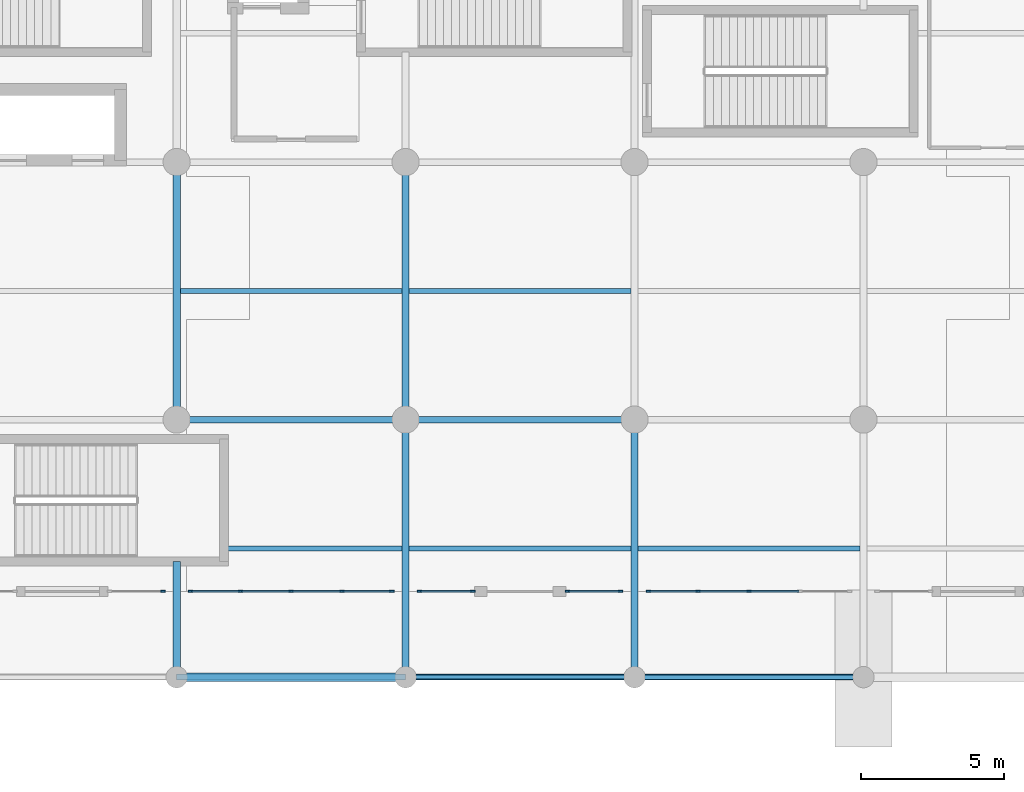
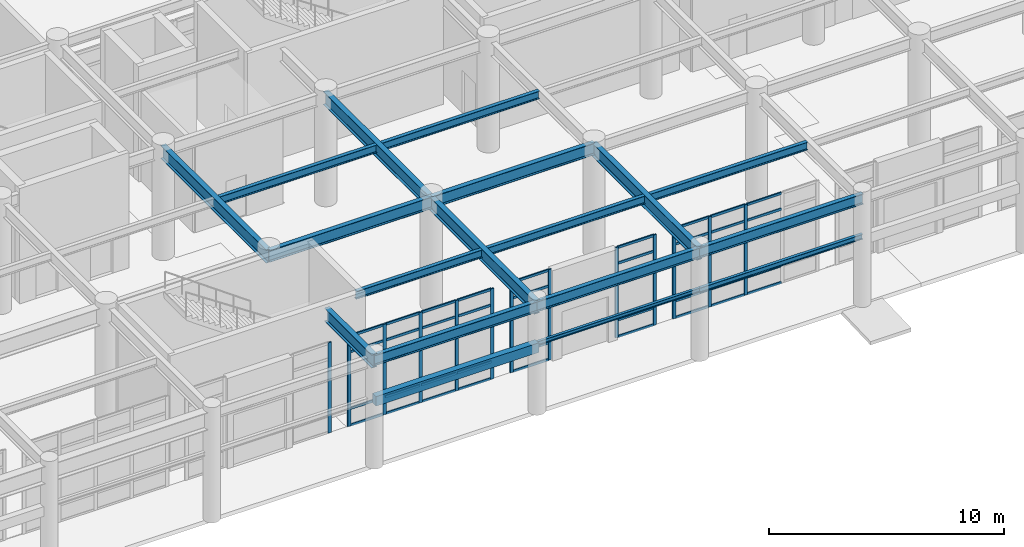
# One storey, part 8 of 49: 49 members, 18 beams, 5 elements without a shape of their own.
"""IFC4 building model written with IfcOpenShell, lengths in metres."""

from ifc_helpers import new_model, si_unit, direction, frame, origin, origin_2d, place, context, subcontext, project, spatial, rectangle, i_section, extrude, material, layer, layer_set, material_profile, profile_set, type_object, element, aggregate, save


model = new_model("IFC4")

# Units and contexts
model_context = context("Model", 3, precision=1e-05, world=origin(), true_north=direction((0.0, 1.0)))
body_context = subcontext(model_context, "Body", "Model", "MODEL_VIEW")
ifc_project = project(units=[si_unit("LENGTHUNIT", "METRE"), si_unit("AREAUNIT", "SQUARE_METRE"), si_unit("VOLUMEUNIT", "CUBIC_METRE"), si_unit("PLANEANGLEUNIT", "RADIAN"), si_unit("MASSUNIT", "GRAM", prefix="KILO")], contexts=[model_context])

# Site, building, storey
site_placement = place(None, origin())
site = spatial("IfcSite", under=ifc_project, at=site_placement, CompositionType="ELEMENT")
building_placement = place(site_placement, origin())
building = spatial("IfcBuilding", under=site, at=building_placement, Name="Tlacozan Convention Centre", CompositionType="ELEMENT")
storey_placement = place(building_placement, origin())
storey = spatial("IfcBuildingStorey", under=building, at=storey_placement, Name="L00", CompositionType="ELEMENT", Elevation=0.0)

# Curtain wall, member
ifc_material_1 = material(Name="Dark Bronze Anodised Aluminium", Category="aluminium")
ifc_layer = layer(ifc_material_1, 0.159912109375)
ifc_layer_set = layer_set([ifc_layer], Name="Dark Bronze Anodised Aluminium")
curtain_wall_type = type_object("IfcCurtainWallType", Name="Unitised Concourse Curtain Wall CW01", PredefinedType="NOTDEFINED", material=ifc_layer_set)
curtain_wall_1_placement = place(storey_placement, origin())
curtain_wall_1 = element("IfcCurtainWall", 1, at=curtain_wall_1_placement, inside=storey, type_object=curtain_wall_type, Name="L00 CW-01 Run 34", PredefinedType="NOTDEFINED")
ifc_material_profile_1 = material_profile(ifc_material_1, rectangle(XDim=0.06494140625, YDim=0.159912109375, at=origin_2d()), Name="ALU 65x160")
ifc_profile_set_1 = profile_set([ifc_material_profile_1], Name="Dark Bronze Anodised Aluminium")
member_type_1 = type_object("IfcMemberType", Name="Curtain Wall Mullion 65x160", PredefinedType="MULLION", material=ifc_profile_set_1)
member_1_placement = place(storey_placement, frame((31.517578125, 3.0, 0.0), z_axis=(0.0, 0.0, 1.0), x_axis=(0.0, 1.0, 0.0)))
member_1 = element("IfcMember", 2, at=member_1_placement, type_object=member_type_1, Name="CW-01 mullion 2", PredefinedType="MULLION", context=body_context, shape_type="SweptSolid", body=[
    extrude(rectangle(XDim=0.06494140625, YDim=0.159912109375, at=origin_2d()), origin(), (0.0, 0.0, 1.0), 4.699951171875),
])
aggregate(curtain_wall_1, [member_1])

# Curtain wall, members
curtain_wall_2_placement = place(storey_placement, origin())
curtain_wall_2 = element("IfcCurtainWall", 3, at=curtain_wall_2_placement, inside=storey, type_object=curtain_wall_type, Name="L00 CW-01 Run 35", PredefinedType="NOTDEFINED")
member_2_placement = place(storey_placement, frame((32.482421875, 3.0, 0.0), z_axis=(0.0, 0.0, 1.0), x_axis=(0.0, 1.0, 0.0)))
member_2 = element("IfcMember", 4, at=member_2_placement, type_object=member_type_1, Name="CW-01 mullion 1", PredefinedType="MULLION", context=body_context, shape_type="SweptSolid", body=[
    extrude(rectangle(XDim=0.06494140625, YDim=0.159912109375, at=origin_2d()), origin(), (0.0, 0.0, 1.0), 4.699951171875),
])
member_3_placement = place(storey_placement, frame((34.22509765625, 3.0, 0.0), z_axis=(0.0, 0.0, 1.0), x_axis=(0.0, 1.0, 0.0)))
member_3 = element("IfcMember", 5, at=member_3_placement, type_object=member_type_1, Name="CW-01 mullion 2", PredefinedType="MULLION", context=body_context, shape_type="SweptSolid", body=[
    extrude(rectangle(XDim=0.06494140625, YDim=0.159912109375, at=origin_2d()), origin(), (0.0, 0.0, 1.0), 4.699951171875),
])
member_4_placement = place(storey_placement, frame((36.0, 3.0, 0.0), z_axis=(0.0, 0.0, 1.0), x_axis=(0.0, 1.0, 0.0)))
member_4 = element("IfcMember", 6, at=member_4_placement, type_object=member_type_1, Name="CW-01 mullion 3", PredefinedType="MULLION", context=body_context, shape_type="SweptSolid", body=[
    extrude(rectangle(XDim=0.06494140625, YDim=0.159912109375, at=origin_2d()), origin(), (0.0, 0.0, 1.0), 4.699951171875),
])
member_5_placement = place(storey_placement, frame((37.77490234375, 3.0, 0.0), z_axis=(0.0, 0.0, 1.0), x_axis=(0.0, 1.0, 0.0)))
member_5 = element("IfcMember", 7, at=member_5_placement, type_object=member_type_1, Name="CW-01 mullion 4", PredefinedType="MULLION", context=body_context, shape_type="SweptSolid", body=[
    extrude(rectangle(XDim=0.06494140625, YDim=0.159912109375, at=origin_2d()), origin(), (0.0, 0.0, 1.0), 4.699951171875),
])
member_6_placement = place(storey_placement, frame((39.517578125, 3.0, 0.0), z_axis=(0.0, 0.0, 1.0), x_axis=(0.0, 1.0, 0.0)))
member_6 = element("IfcMember", 8, at=member_6_placement, type_object=member_type_1, Name="CW-01 mullion 5", PredefinedType="MULLION", context=body_context, shape_type="SweptSolid", body=[
    extrude(rectangle(XDim=0.06494140625, YDim=0.159912109375, at=origin_2d()), origin(), (0.0, 0.0, 1.0), 4.699951171875),
])

curtain_wall_3_placement = place(storey_placement, origin())
curtain_wall_3 = element("IfcCurtainWall", 9, at=curtain_wall_3_placement, inside=storey, type_object=curtain_wall_type, Name="L00 CW-01 Run 36", PredefinedType="NOTDEFINED")
member_7_placement = place(storey_placement, frame((40.482421875, 3.0, 0.0), z_axis=(0.0, 0.0, 1.0), x_axis=(0.0, 1.0, 0.0)))
member_7 = element("IfcMember", 10, at=member_7_placement, type_object=member_type_1, Name="CW-01 mullion 1", PredefinedType="MULLION", context=body_context, shape_type="SweptSolid", body=[
    extrude(rectangle(XDim=0.06494140625, YDim=0.159912109375, at=origin_2d()), origin(), (0.0, 0.0, 1.0), 4.699951171875),
])
member_8_placement = place(storey_placement, frame((42.347412109375, 3.0, 0.0), z_axis=(0.0, 0.0, 1.0), x_axis=(0.0, 1.0, 0.0)))
member_8 = element("IfcMember", 11, at=member_8_placement, type_object=member_type_1, Name="CW-01 mullion 2", PredefinedType="MULLION", context=body_context, shape_type="SweptSolid", body=[
    extrude(rectangle(XDim=0.06494140625, YDim=0.159912109375, at=origin_2d()), origin(), (0.0, 0.0, 1.0), 4.699951171875),
])

curtain_wall_4_placement = place(storey_placement, origin())
curtain_wall_4 = element("IfcCurtainWall", 12, at=curtain_wall_4_placement, inside=storey, type_object=curtain_wall_type, Name="L00 CW-01 Run 37", PredefinedType="NOTDEFINED")
member_9_placement = place(storey_placement, frame((45.652587890625, 3.0, 0.0), z_axis=(0.0, 0.0, 1.0), x_axis=(0.0, 1.0, 0.0)))
member_9 = element("IfcMember", 13, at=member_9_placement, type_object=member_type_1, Name="CW-01 mullion 1", PredefinedType="MULLION", context=body_context, shape_type="SweptSolid", body=[
    extrude(rectangle(XDim=0.06494140625, YDim=0.159912109375, at=origin_2d()), origin(), (0.0, 0.0, 1.0), 4.699951171875),
])
member_10_placement = place(storey_placement, frame((47.517578125, 3.0, 0.0), z_axis=(0.0, 0.0, 1.0), x_axis=(0.0, 1.0, 0.0)))
member_10 = element("IfcMember", 14, at=member_10_placement, type_object=member_type_1, Name="CW-01 mullion 2", PredefinedType="MULLION", context=body_context, shape_type="SweptSolid", body=[
    extrude(rectangle(XDim=0.06494140625, YDim=0.159912109375, at=origin_2d()), origin(), (0.0, 0.0, 1.0), 4.699951171875),
])

curtain_wall_5_placement = place(storey_placement, origin())
curtain_wall_5 = element("IfcCurtainWall", 15, at=curtain_wall_5_placement, inside=storey, type_object=curtain_wall_type, Name="L00 CW-01 Run 38", PredefinedType="NOTDEFINED")
member_11_placement = place(storey_placement, frame((48.482421875, 3.0, 0.0), z_axis=(0.0, 0.0, 1.0), x_axis=(0.0, 1.0, 0.0)))
member_11 = element("IfcMember", 16, at=member_11_placement, type_object=member_type_1, Name="CW-01 mullion 1", PredefinedType="MULLION", context=body_context, shape_type="SweptSolid", body=[
    extrude(rectangle(XDim=0.06494140625, YDim=0.159912109375, at=origin_2d()), origin(), (0.0, 0.0, 1.0), 4.699951171875),
])
member_12_placement = place(storey_placement, frame((50.22509765625, 3.0, 0.0), z_axis=(0.0, 0.0, 1.0), x_axis=(0.0, 1.0, 0.0)))
member_12 = element("IfcMember", 17, at=member_12_placement, type_object=member_type_1, Name="CW-01 mullion 2", PredefinedType="MULLION", context=body_context, shape_type="SweptSolid", body=[
    extrude(rectangle(XDim=0.06494140625, YDim=0.159912109375, at=origin_2d()), origin(), (0.0, 0.0, 1.0), 4.699951171875),
])
member_13_placement = place(storey_placement, frame((52.0, 3.0, 0.0), z_axis=(0.0, 0.0, 1.0), x_axis=(0.0, 1.0, 0.0)))
member_13 = element("IfcMember", 18, at=member_13_placement, type_object=member_type_1, Name="CW-01 mullion 3", PredefinedType="MULLION", context=body_context, shape_type="SweptSolid", body=[
    extrude(rectangle(XDim=0.06494140625, YDim=0.159912109375, at=origin_2d()), origin(), (0.0, 0.0, 1.0), 4.699951171875),
])

# Member
ifc_material_profile_2 = material_profile(ifc_material_1, rectangle(XDim=0.06494140625, YDim=0.125, at=origin_2d()), Name="ALU 65x125")
ifc_profile_set_2 = profile_set([ifc_material_profile_2], Name="Dark Bronze Anodised Aluminium")
member_type_2 = type_object("IfcMemberType", Name="Curtain Wall Transom 65x125", PredefinedType="USERDEFINED", material=ifc_profile_set_2)
member_14_placement = place(storey_placement, frame((32.514892578125, 3.0, 0.032470703125), z_axis=(1.0, 0.0, 0.0), x_axis=(0.0, 1.0, 0.0)))
member_14 = element("IfcMember", 19, at=member_14_placement, type_object=member_type_2, Name="CW-01 transom 1.1", ObjectType="TRANSOM", PredefinedType="USERDEFINED", context=body_context, shape_type="SweptSolid", body=[
    extrude(rectangle(XDim=0.06494140625, YDim=0.125, at=origin_2d()), origin(), (0.0, 0.0, 1.0), 1.677490234375),
])

member_15_placement = place(storey_placement, frame((32.514892578125, 3.0, 0.89990234375), z_axis=(1.0, 0.0, 0.0), x_axis=(0.0, 1.0, 0.0)))
member_15 = element("IfcMember", 20, at=member_15_placement, type_object=member_type_2, Name="CW-01 transom 1.2", ObjectType="TRANSOM", PredefinedType="USERDEFINED", context=body_context, shape_type="SweptSolid", body=[
    extrude(rectangle(XDim=0.06494140625, YDim=0.125, at=origin_2d()), origin(), (0.0, 0.0, 1.0), 1.677490234375),
])

member_16_placement = place(storey_placement, frame((32.514892578125, 3.0, 3.85009765625), z_axis=(1.0, 0.0, 0.0), x_axis=(0.0, 1.0, 0.0)))
member_16 = element("IfcMember", 21, at=member_16_placement, type_object=member_type_2, Name="CW-01 transom 1.3", ObjectType="TRANSOM", PredefinedType="USERDEFINED", context=body_context, shape_type="SweptSolid", body=[
    extrude(rectangle(XDim=0.06494140625, YDim=0.125, at=origin_2d()), origin(), (0.0, 0.0, 1.0), 1.677490234375),
])

member_17_placement = place(storey_placement, frame((32.514892578125, 3.0, 4.66748046875), z_axis=(1.0, 0.0, 0.0), x_axis=(0.0, 1.0, 0.0)))
member_17 = element("IfcMember", 22, at=member_17_placement, type_object=member_type_2, Name="CW-01 transom 1.4", ObjectType="TRANSOM", PredefinedType="USERDEFINED", context=body_context, shape_type="SweptSolid", body=[
    extrude(rectangle(XDim=0.06494140625, YDim=0.125, at=origin_2d()), origin(), (0.0, 0.0, 1.0), 1.677490234375),
])

member_18_placement = place(storey_placement, frame((34.257568359375, 3.0, 0.032470703125), z_axis=(1.0, 0.0, 0.0), x_axis=(0.0, 1.0, 0.0)))
member_18 = element("IfcMember", 23, at=member_18_placement, type_object=member_type_2, Name="CW-01 transom 2.1", ObjectType="TRANSOM", PredefinedType="USERDEFINED", context=body_context, shape_type="SweptSolid", body=[
    extrude(rectangle(XDim=0.06494140625, YDim=0.125, at=origin_2d()), origin(), (0.0, 0.0, 1.0), 1.7099609375),
])

member_19_placement = place(storey_placement, frame((34.257568359375, 3.0, 0.89990234375), z_axis=(1.0, 0.0, 0.0), x_axis=(0.0, 1.0, 0.0)))
member_19 = element("IfcMember", 24, at=member_19_placement, type_object=member_type_2, Name="CW-01 transom 2.2", ObjectType="TRANSOM", PredefinedType="USERDEFINED", context=body_context, shape_type="SweptSolid", body=[
    extrude(rectangle(XDim=0.06494140625, YDim=0.125, at=origin_2d()), origin(), (0.0, 0.0, 1.0), 1.7099609375),
])

member_20_placement = place(storey_placement, frame((34.257568359375, 3.0, 3.85009765625), z_axis=(1.0, 0.0, 0.0), x_axis=(0.0, 1.0, 0.0)))
member_20 = element("IfcMember", 25, at=member_20_placement, type_object=member_type_2, Name="CW-01 transom 2.3", ObjectType="TRANSOM", PredefinedType="USERDEFINED", context=body_context, shape_type="SweptSolid", body=[
    extrude(rectangle(XDim=0.06494140625, YDim=0.125, at=origin_2d()), origin(), (0.0, 0.0, 1.0), 1.7099609375),
])

member_21_placement = place(storey_placement, frame((34.257568359375, 3.0, 4.66748046875), z_axis=(1.0, 0.0, 0.0), x_axis=(0.0, 1.0, 0.0)))
member_21 = element("IfcMember", 26, at=member_21_placement, type_object=member_type_2, Name="CW-01 transom 2.4", ObjectType="TRANSOM", PredefinedType="USERDEFINED", context=body_context, shape_type="SweptSolid", body=[
    extrude(rectangle(XDim=0.06494140625, YDim=0.125, at=origin_2d()), origin(), (0.0, 0.0, 1.0), 1.7099609375),
])

member_22_placement = place(storey_placement, frame((36.032470703125, 3.0, 0.032470703125), z_axis=(1.0, 0.0, 0.0), x_axis=(0.0, 1.0, 0.0)))
member_22 = element("IfcMember", 27, at=member_22_placement, type_object=member_type_2, Name="CW-01 transom 3.1", ObjectType="TRANSOM", PredefinedType="USERDEFINED", context=body_context, shape_type="SweptSolid", body=[
    extrude(rectangle(XDim=0.06494140625, YDim=0.125, at=origin_2d()), origin(), (0.0, 0.0, 1.0), 1.7099609375),
])

member_23_placement = place(storey_placement, frame((36.032470703125, 3.0, 0.89990234375), z_axis=(1.0, 0.0, 0.0), x_axis=(0.0, 1.0, 0.0)))
member_23 = element("IfcMember", 28, at=member_23_placement, type_object=member_type_2, Name="CW-01 transom 3.2", ObjectType="TRANSOM", PredefinedType="USERDEFINED", context=body_context, shape_type="SweptSolid", body=[
    extrude(rectangle(XDim=0.06494140625, YDim=0.125, at=origin_2d()), origin(), (0.0, 0.0, 1.0), 1.7099609375),
])

member_24_placement = place(storey_placement, frame((36.032470703125, 3.0, 3.85009765625), z_axis=(1.0, 0.0, 0.0), x_axis=(0.0, 1.0, 0.0)))
member_24 = element("IfcMember", 29, at=member_24_placement, type_object=member_type_2, Name="CW-01 transom 3.3", ObjectType="TRANSOM", PredefinedType="USERDEFINED", context=body_context, shape_type="SweptSolid", body=[
    extrude(rectangle(XDim=0.06494140625, YDim=0.125, at=origin_2d()), origin(), (0.0, 0.0, 1.0), 1.7099609375),
])

member_25_placement = place(storey_placement, frame((36.032470703125, 3.0, 4.66748046875), z_axis=(1.0, 0.0, 0.0), x_axis=(0.0, 1.0, 0.0)))
member_25 = element("IfcMember", 30, at=member_25_placement, type_object=member_type_2, Name="CW-01 transom 3.4", ObjectType="TRANSOM", PredefinedType="USERDEFINED", context=body_context, shape_type="SweptSolid", body=[
    extrude(rectangle(XDim=0.06494140625, YDim=0.125, at=origin_2d()), origin(), (0.0, 0.0, 1.0), 1.7099609375),
])

member_26_placement = place(storey_placement, frame((37.8076171875, 3.0, 0.032470703125), z_axis=(1.0, 0.0, 0.0), x_axis=(0.0, 1.0, 0.0)))
member_26 = element("IfcMember", 31, at=member_26_placement, type_object=member_type_2, Name="CW-01 transom 4.1", ObjectType="TRANSOM", PredefinedType="USERDEFINED", context=body_context, shape_type="SweptSolid", body=[
    extrude(rectangle(XDim=0.06494140625, YDim=0.125, at=origin_2d()), origin(), (0.0, 0.0, 1.0), 1.677490234375),
])

member_27_placement = place(storey_placement, frame((37.8076171875, 3.0, 0.89990234375), z_axis=(1.0, 0.0, 0.0), x_axis=(0.0, 1.0, 0.0)))
member_27 = element("IfcMember", 32, at=member_27_placement, type_object=member_type_2, Name="CW-01 transom 4.2", ObjectType="TRANSOM", PredefinedType="USERDEFINED", context=body_context, shape_type="SweptSolid", body=[
    extrude(rectangle(XDim=0.06494140625, YDim=0.125, at=origin_2d()), origin(), (0.0, 0.0, 1.0), 1.677490234375),
])

member_28_placement = place(storey_placement, frame((37.8076171875, 3.0, 3.85009765625), z_axis=(1.0, 0.0, 0.0), x_axis=(0.0, 1.0, 0.0)))
member_28 = element("IfcMember", 33, at=member_28_placement, type_object=member_type_2, Name="CW-01 transom 4.3", ObjectType="TRANSOM", PredefinedType="USERDEFINED", context=body_context, shape_type="SweptSolid", body=[
    extrude(rectangle(XDim=0.06494140625, YDim=0.125, at=origin_2d()), origin(), (0.0, 0.0, 1.0), 1.677490234375),
])

member_29_placement = place(storey_placement, frame((37.8076171875, 3.0, 4.66748046875), z_axis=(1.0, 0.0, 0.0), x_axis=(0.0, 1.0, 0.0)))
member_29 = element("IfcMember", 34, at=member_29_placement, type_object=member_type_2, Name="CW-01 transom 4.4", ObjectType="TRANSOM", PredefinedType="USERDEFINED", context=body_context, shape_type="SweptSolid", body=[
    extrude(rectangle(XDim=0.06494140625, YDim=0.125, at=origin_2d()), origin(), (0.0, 0.0, 1.0), 1.677490234375),
])

aggregate(curtain_wall_2, [member_2, member_3, member_4, member_5, member_6, member_14, member_15, member_16, member_17, member_18, member_19, member_20, member_21, member_22, member_23, member_24, member_25, member_26, member_27, member_28, member_29])

member_30_placement = place(storey_placement, frame((40.514892578125, 3.0, 0.032470703125), z_axis=(1.0, 0.0, 0.0), x_axis=(0.0, 1.0, 0.0)))
member_30 = element("IfcMember", 35, at=member_30_placement, type_object=member_type_2, Name="CW-01 transom 1.1", ObjectType="TRANSOM", PredefinedType="USERDEFINED", context=body_context, shape_type="SweptSolid", body=[
    extrude(rectangle(XDim=0.06494140625, YDim=0.125, at=origin_2d()), origin(), (0.0, 0.0, 1.0), 1.800048828125),
])

member_31_placement = place(storey_placement, frame((40.514892578125, 3.0, 0.89990234375), z_axis=(1.0, 0.0, 0.0), x_axis=(0.0, 1.0, 0.0)))
member_31 = element("IfcMember", 36, at=member_31_placement, type_object=member_type_2, Name="CW-01 transom 1.2", ObjectType="TRANSOM", PredefinedType="USERDEFINED", context=body_context, shape_type="SweptSolid", body=[
    extrude(rectangle(XDim=0.06494140625, YDim=0.125, at=origin_2d()), origin(), (0.0, 0.0, 1.0), 1.800048828125),
])

member_32_placement = place(storey_placement, frame((40.514892578125, 3.0, 3.85009765625), z_axis=(1.0, 0.0, 0.0), x_axis=(0.0, 1.0, 0.0)))
member_32 = element("IfcMember", 37, at=member_32_placement, type_object=member_type_2, Name="CW-01 transom 1.3", ObjectType="TRANSOM", PredefinedType="USERDEFINED", context=body_context, shape_type="SweptSolid", body=[
    extrude(rectangle(XDim=0.06494140625, YDim=0.125, at=origin_2d()), origin(), (0.0, 0.0, 1.0), 1.800048828125),
])

member_33_placement = place(storey_placement, frame((40.514892578125, 3.0, 4.66748046875), z_axis=(1.0, 0.0, 0.0), x_axis=(0.0, 1.0, 0.0)))
member_33 = element("IfcMember", 38, at=member_33_placement, type_object=member_type_2, Name="CW-01 transom 1.4", ObjectType="TRANSOM", PredefinedType="USERDEFINED", context=body_context, shape_type="SweptSolid", body=[
    extrude(rectangle(XDim=0.06494140625, YDim=0.125, at=origin_2d()), origin(), (0.0, 0.0, 1.0), 1.800048828125),
])

aggregate(curtain_wall_3, [member_7, member_8, member_30, member_31, member_32, member_33])

member_34_placement = place(storey_placement, frame((45.68505859375, 3.0, 0.032470703125), z_axis=(1.0, 0.0, 0.0), x_axis=(0.0, 1.0, 0.0)))
member_34 = element("IfcMember", 39, at=member_34_placement, type_object=member_type_2, Name="CW-01 transom 1.1", ObjectType="TRANSOM", PredefinedType="USERDEFINED", context=body_context, shape_type="SweptSolid", body=[
    extrude(rectangle(XDim=0.06494140625, YDim=0.125, at=origin_2d()), origin(), (0.0, 0.0, 1.0), 1.800048828125),
])

member_35_placement = place(storey_placement, frame((45.68505859375, 3.0, 0.89990234375), z_axis=(1.0, 0.0, 0.0), x_axis=(0.0, 1.0, 0.0)))
member_35 = element("IfcMember", 40, at=member_35_placement, type_object=member_type_2, Name="CW-01 transom 1.2", ObjectType="TRANSOM", PredefinedType="USERDEFINED", context=body_context, shape_type="SweptSolid", body=[
    extrude(rectangle(XDim=0.06494140625, YDim=0.125, at=origin_2d()), origin(), (0.0, 0.0, 1.0), 1.800048828125),
])

member_36_placement = place(storey_placement, frame((45.68505859375, 3.0, 3.85009765625), z_axis=(1.0, 0.0, 0.0), x_axis=(0.0, 1.0, 0.0)))
member_36 = element("IfcMember", 41, at=member_36_placement, type_object=member_type_2, Name="CW-01 transom 1.3", ObjectType="TRANSOM", PredefinedType="USERDEFINED", context=body_context, shape_type="SweptSolid", body=[
    extrude(rectangle(XDim=0.06494140625, YDim=0.125, at=origin_2d()), origin(), (0.0, 0.0, 1.0), 1.800048828125),
])

member_37_placement = place(storey_placement, frame((45.68505859375, 3.0, 4.66748046875), z_axis=(1.0, 0.0, 0.0), x_axis=(0.0, 1.0, 0.0)))
member_37 = element("IfcMember", 42, at=member_37_placement, type_object=member_type_2, Name="CW-01 transom 1.4", ObjectType="TRANSOM", PredefinedType="USERDEFINED", context=body_context, shape_type="SweptSolid", body=[
    extrude(rectangle(XDim=0.06494140625, YDim=0.125, at=origin_2d()), origin(), (0.0, 0.0, 1.0), 1.800048828125),
])

aggregate(curtain_wall_4, [member_9, member_10, member_34, member_35, member_36, member_37])

member_38_placement = place(storey_placement, frame((48.514892578125, 3.0, 0.032470703125), z_axis=(1.0, 0.0, 0.0), x_axis=(0.0, 1.0, 0.0)))
member_38 = element("IfcMember", 43, at=member_38_placement, type_object=member_type_2, Name="CW-01 transom 1.1", ObjectType="TRANSOM", PredefinedType="USERDEFINED", context=body_context, shape_type="SweptSolid", body=[
    extrude(rectangle(XDim=0.06494140625, YDim=0.125, at=origin_2d()), origin(), (0.0, 0.0, 1.0), 1.677490234375),
])

member_39_placement = place(storey_placement, frame((48.514892578125, 3.0, 0.89990234375), z_axis=(1.0, 0.0, 0.0), x_axis=(0.0, 1.0, 0.0)))
member_39 = element("IfcMember", 44, at=member_39_placement, type_object=member_type_2, Name="CW-01 transom 1.2", ObjectType="TRANSOM", PredefinedType="USERDEFINED", context=body_context, shape_type="SweptSolid", body=[
    extrude(rectangle(XDim=0.06494140625, YDim=0.125, at=origin_2d()), origin(), (0.0, 0.0, 1.0), 1.677490234375),
])

member_40_placement = place(storey_placement, frame((48.514892578125, 3.0, 3.85009765625), z_axis=(1.0, 0.0, 0.0), x_axis=(0.0, 1.0, 0.0)))
member_40 = element("IfcMember", 45, at=member_40_placement, type_object=member_type_2, Name="CW-01 transom 1.3", ObjectType="TRANSOM", PredefinedType="USERDEFINED", context=body_context, shape_type="SweptSolid", body=[
    extrude(rectangle(XDim=0.06494140625, YDim=0.125, at=origin_2d()), origin(), (0.0, 0.0, 1.0), 1.677490234375),
])

member_41_placement = place(storey_placement, frame((48.514892578125, 3.0, 4.66748046875), z_axis=(1.0, 0.0, 0.0), x_axis=(0.0, 1.0, 0.0)))
member_41 = element("IfcMember", 46, at=member_41_placement, type_object=member_type_2, Name="CW-01 transom 1.4", ObjectType="TRANSOM", PredefinedType="USERDEFINED", context=body_context, shape_type="SweptSolid", body=[
    extrude(rectangle(XDim=0.06494140625, YDim=0.125, at=origin_2d()), origin(), (0.0, 0.0, 1.0), 1.677490234375),
])

member_42_placement = place(storey_placement, frame((50.257568359375, 3.0, 0.032470703125), z_axis=(1.0, 0.0, 0.0), x_axis=(0.0, 1.0, 0.0)))
member_42 = element("IfcMember", 47, at=member_42_placement, type_object=member_type_2, Name="CW-01 transom 2.1", ObjectType="TRANSOM", PredefinedType="USERDEFINED", context=body_context, shape_type="SweptSolid", body=[
    extrude(rectangle(XDim=0.06494140625, YDim=0.125, at=origin_2d()), origin(), (0.0, 0.0, 1.0), 1.7099609375),
])

member_43_placement = place(storey_placement, frame((50.257568359375, 3.0, 0.89990234375), z_axis=(1.0, 0.0, 0.0), x_axis=(0.0, 1.0, 0.0)))
member_43 = element("IfcMember", 48, at=member_43_placement, type_object=member_type_2, Name="CW-01 transom 2.2", ObjectType="TRANSOM", PredefinedType="USERDEFINED", context=body_context, shape_type="SweptSolid", body=[
    extrude(rectangle(XDim=0.06494140625, YDim=0.125, at=origin_2d()), origin(), (0.0, 0.0, 1.0), 1.7099609375),
])

member_44_placement = place(storey_placement, frame((50.257568359375, 3.0, 3.85009765625), z_axis=(1.0, 0.0, 0.0), x_axis=(0.0, 1.0, 0.0)))
member_44 = element("IfcMember", 49, at=member_44_placement, type_object=member_type_2, Name="CW-01 transom 2.3", ObjectType="TRANSOM", PredefinedType="USERDEFINED", context=body_context, shape_type="SweptSolid", body=[
    extrude(rectangle(XDim=0.06494140625, YDim=0.125, at=origin_2d()), origin(), (0.0, 0.0, 1.0), 1.7099609375),
])

member_45_placement = place(storey_placement, frame((50.257568359375, 3.0, 4.66748046875), z_axis=(1.0, 0.0, 0.0), x_axis=(0.0, 1.0, 0.0)))
member_45 = element("IfcMember", 50, at=member_45_placement, type_object=member_type_2, Name="CW-01 transom 2.4", ObjectType="TRANSOM", PredefinedType="USERDEFINED", context=body_context, shape_type="SweptSolid", body=[
    extrude(rectangle(XDim=0.06494140625, YDim=0.125, at=origin_2d()), origin(), (0.0, 0.0, 1.0), 1.7099609375),
])

member_46_placement = place(storey_placement, frame((52.032470703125, 3.0, 0.032470703125), z_axis=(1.0, 0.0, 0.0), x_axis=(0.0, 1.0, 0.0)))
member_46 = element("IfcMember", 51, at=member_46_placement, type_object=member_type_2, Name="CW-01 transom 3.1", ObjectType="TRANSOM", PredefinedType="USERDEFINED", context=body_context, shape_type="SweptSolid", body=[
    extrude(rectangle(XDim=0.06494140625, YDim=0.125, at=origin_2d()), origin(), (0.0, 0.0, 1.0), 1.7099609375),
])

member_47_placement = place(storey_placement, frame((52.032470703125, 3.0, 0.89990234375), z_axis=(1.0, 0.0, 0.0), x_axis=(0.0, 1.0, 0.0)))
member_47 = element("IfcMember", 52, at=member_47_placement, type_object=member_type_2, Name="CW-01 transom 3.2", ObjectType="TRANSOM", PredefinedType="USERDEFINED", context=body_context, shape_type="SweptSolid", body=[
    extrude(rectangle(XDim=0.06494140625, YDim=0.125, at=origin_2d()), origin(), (0.0, 0.0, 1.0), 1.7099609375),
])

member_48_placement = place(storey_placement, frame((52.032470703125, 3.0, 3.85009765625), z_axis=(1.0, 0.0, 0.0), x_axis=(0.0, 1.0, 0.0)))
member_48 = element("IfcMember", 53, at=member_48_placement, type_object=member_type_2, Name="CW-01 transom 3.3", ObjectType="TRANSOM", PredefinedType="USERDEFINED", context=body_context, shape_type="SweptSolid", body=[
    extrude(rectangle(XDim=0.06494140625, YDim=0.125, at=origin_2d()), origin(), (0.0, 0.0, 1.0), 1.7099609375),
])

member_49_placement = place(storey_placement, frame((52.032470703125, 3.0, 4.66748046875), z_axis=(1.0, 0.0, 0.0), x_axis=(0.0, 1.0, 0.0)))
member_49 = element("IfcMember", 54, at=member_49_placement, type_object=member_type_2, Name="CW-01 transom 3.4", ObjectType="TRANSOM", PredefinedType="USERDEFINED", context=body_context, shape_type="SweptSolid", body=[
    extrude(rectangle(XDim=0.06494140625, YDim=0.125, at=origin_2d()), origin(), (0.0, 0.0, 1.0), 1.7099609375),
])

aggregate(curtain_wall_5, [member_11, member_12, member_13, member_38, member_39, member_40, member_41, member_42, member_43, member_44, member_45, member_46, member_47, member_48, member_49])

# Beams
ifc_material_2 = material(Name="Steel ASTM A992 Grade 50", Category="steel")
ifc_material_profile_3 = material_profile(ifc_material_2, i_section(OverallWidth=0.22900390625, OverallDepth=0.612060546875, WebThickness=0.011962890625, FlangeThickness=0.01953125, FilletRadius=0.012939453125, at=origin_2d()), Name="IR 610x125.0")
ifc_profile_set_3 = profile_set([ifc_material_profile_3], Name="Steel ASTM A992 Grade 50")
beam_type_1 = type_object("IfcBeamType", Name="Floor Beam IR 610x125", PredefinedType="BEAM", material=ifc_profile_set_3)
for number, where, z_axis, x_axis, name in (
    (55, (32.0, 9.0, 5.4140625), (1.0, 0.0, 0.0), (0.0, 1.0, 0.0), "L00 Floor Beam IR 610x125 195"),
    (56, (40.0, 9.0, 5.4140625), (1.0, 0.0, 0.0), (0.0, 1.0, 0.0), "L00 Floor Beam IR 610x125 199"),
):
    element("IfcBeam", number, at=place(storey_placement, frame(where, z_axis=z_axis, x_axis=x_axis)), inside=storey, type_object=beam_type_1, Name=name, PredefinedType="BEAM", context=body_context, shape_type="SweptSolid", body=[
        extrude(i_section(OverallWidth=0.22900390625, OverallDepth=0.612060546875, WebThickness=0.011962890625, FlangeThickness=0.01953125, FilletRadius=0.012939453125, at=origin_2d()), origin(), (0.0, 0.0, 1.0), 8.0),
    ])
ifc_material_profile_4 = material_profile(ifc_material_2, i_section(OverallWidth=0.256103515625, OverallDepth=0.693115234375, WebThickness=0.014404296875, FlangeThickness=0.023681640625, FilletRadius=0.014892578125, at=origin_2d()), Name="IR 686x170.0")
ifc_profile_set_4 = profile_set([ifc_material_profile_4], Name="Steel ASTM A992 Grade 50")
beam_type_2 = type_object("IfcBeamType", Name="Girder Steel IR 686x170", PredefinedType="BEAM", material=ifc_profile_set_4)
beam_1_placement = place(storey_placement, frame((32.0, 0.0, 5.37353515625), z_axis=(0.0, 1.0, 0.0), x_axis=(-1.0, 0.0, 0.0)))
element("IfcBeam", 57, at=beam_1_placement, inside=storey, type_object=beam_type_2, Name="L00 Girder Steel IR 686x170 135", PredefinedType="BEAM", context=body_context, shape_type="SweptSolid", body=[
    extrude(i_section(OverallWidth=0.256103515625, OverallDepth=0.693115234375, WebThickness=0.014404296875, FlangeThickness=0.023681640625, FilletRadius=0.014892578125, at=origin_2d()), origin(), (0.0, 0.0, 1.0), 4.0400390625),
])
for number, where, z_axis, x_axis, name in (
    (58, (32.0, 9.0, 5.37353515625), (0.0, 1.0, 0.0), (-1.0, 0.0, 0.0), "L00 Girder Steel IR 686x170 136"),
    (59, (40.0, 0.0, 5.37353515625), (0.0, 1.0, 0.0), (-1.0, 0.0, 0.0), "L00 Girder Steel IR 686x170 138"),
    (60, (40.0, 9.0, 5.37353515625), (0.0, 1.0, 0.0), (-1.0, 0.0, 0.0), "L00 Girder Steel IR 686x170 139"),
    (61, (48.0, 0.0, 5.37353515625), (0.0, 1.0, 0.0), (-1.0, 0.0, 0.0), "L00 Girder Steel IR 686x170 141"),
):
    element("IfcBeam", number, at=place(storey_placement, frame(where, z_axis=z_axis, x_axis=x_axis)), inside=storey, type_object=beam_type_2, Name=name, PredefinedType="BEAM", context=body_context, shape_type="SweptSolid", body=[
        extrude(i_section(OverallWidth=0.256103515625, OverallDepth=0.693115234375, WebThickness=0.014404296875, FlangeThickness=0.023681640625, FilletRadius=0.014892578125, at=origin_2d()), origin(), (0.0, 0.0, 1.0), 9.0),
    ])
ifc_material_profile_5 = material_profile(ifc_material_2, i_section(OverallWidth=0.134033203125, OverallDepth=0.2099609375, WebThickness=0.00634765625, FlangeThickness=0.01025390625, FilletRadius=0.008056640625, at=origin_2d()), Name="IR 203x31.3")
ifc_profile_set_5 = profile_set([ifc_material_profile_5], Name="Steel ASTM A992 Grade 50")
beam_type_3 = type_object("IfcBeamType", Name="Opening Lintel IR 203x31.3", PredefinedType="LINTEL", material=ifc_profile_set_5)
beam_2_placement = place(storey_placement, frame((40.0, 0.0, 3.4951171875), z_axis=(1.0, 0.0, 0.0), x_axis=(0.0, 1.0, 0.0)))
element("IfcBeam", 62, at=beam_2_placement, inside=storey, type_object=beam_type_3, Name="L00 Opening Lintel IR 203x31.3 1727", PredefinedType="LINTEL", context=body_context, shape_type="SweptSolid", body=[
    extrude(i_section(OverallWidth=0.134033203125, OverallDepth=0.2099609375, WebThickness=0.00634765625, FlangeThickness=0.01025390625, FilletRadius=0.008056640625, at=origin_2d()), origin(), (0.0, 0.0, 1.0), 8.0),
])
ifc_material_profile_6 = material_profile(ifc_material_2, i_section(OverallWidth=0.14697265625, OverallDepth=0.261962890625, WebThickness=0.006591796875, FlangeThickness=0.01123046875, FilletRadius=0.008056640625, at=origin_2d()), Name="IR 254x38.5")
ifc_profile_set_6 = profile_set([ifc_material_profile_6], Name="Steel ASTM A992 Grade 50")
beam_type_4 = type_object("IfcBeamType", Name="Opening Lintel IR 254x38.5", PredefinedType="LINTEL", material=ifc_profile_set_6)
beam_3_placement = place(storey_placement, frame((48.0, 0.0, 3.468994140625), z_axis=(1.0, 0.0, 0.0), x_axis=(0.0, 1.0, 0.0)))
element("IfcBeam", 63, at=beam_3_placement, inside=storey, type_object=beam_type_4, Name="L00 Opening Lintel IR 254x38.5 1728", PredefinedType="LINTEL", context=body_context, shape_type="SweptSolid", body=[
    extrude(i_section(OverallWidth=0.14697265625, OverallDepth=0.261962890625, WebThickness=0.006591796875, FlangeThickness=0.01123046875, FilletRadius=0.008056640625, at=origin_2d()), origin(), (0.0, 0.0, 1.0), 8.0),
])
ifc_material_3 = material(Name="Concrete C40/50", Category="concrete")
ifc_material_profile_7 = material_profile(ifc_material_3, rectangle(XDim=0.300048828125, YDim=0.5, at=origin_2d()), Name="RC 300x500")
ifc_profile_set_7 = profile_set([ifc_material_profile_7], Name="Concrete C40/50")
beam_type_5 = type_object("IfcBeamType", Name="Opening Lintel RC 300x500", PredefinedType="LINTEL", material=ifc_profile_set_7)
beam_4_placement = place(storey_placement, frame((32.0, 0.0, 3.35009765625), z_axis=(1.0, 0.0, 0.0), x_axis=(0.0, 1.0, 0.0)))
element("IfcBeam", 64, at=beam_4_placement, inside=storey, type_object=beam_type_5, Name="L00 Opening Lintel RC 300x500 1726", PredefinedType="LINTEL", context=body_context, shape_type="SweptSolid", body=[
    extrude(rectangle(XDim=0.300048828125, YDim=0.5, at=origin_2d()), origin(), (0.0, 0.0, 1.0), 8.0),
])
ifc_material_profile_8 = material_profile(ifc_material_2, i_section(OverallWidth=0.2109375, OverallDepth=0.5390625, WebThickness=0.01171875, FlangeThickness=0.018798828125, FilletRadius=0.012939453125, at=origin_2d()), Name="IR 533x109.0")
ifc_profile_set_8 = profile_set([ifc_material_profile_8], Name="Steel ASTM A992 Grade 50")
beam_type_6 = type_object("IfcBeamType", Name="Perimeter Spandrel IR 533x109", PredefinedType="SPANDREL", material=ifc_profile_set_8)
for number, where, z_axis, x_axis, name in (
    (65, (32.0, 0.0, 5.450439453125), (1.0, 0.0, 0.0), (0.0, 1.0, 0.0), "L00 Perimeter Spandrel IR 533x109 194"),
    (66, (40.0, 0.0, 5.450439453125), (1.0, 0.0, 0.0), (0.0, 1.0, 0.0), "L00 Perimeter Spandrel IR 533x109 198"),
    (67, (48.0, 0.0, 5.450439453125), (1.0, 0.0, 0.0), (0.0, 1.0, 0.0), "L00 Perimeter Spandrel IR 533x109 202"),
):
    element("IfcBeam", number, at=place(storey_placement, frame(where, z_axis=z_axis, x_axis=x_axis)), inside=storey, type_object=beam_type_6, Name=name, PredefinedType="SPANDREL", context=body_context, shape_type="SweptSolid", body=[
        extrude(i_section(OverallWidth=0.2109375, OverallDepth=0.5390625, WebThickness=0.01171875, FlangeThickness=0.018798828125, FilletRadius=0.012939453125, at=origin_2d()), origin(), (0.0, 0.0, 1.0), 8.0),
    ])
ifc_material_profile_9 = material_profile(ifc_material_2, i_section(OverallWidth=0.179931640625, OverallDepth=0.4130859375, WebThickness=0.009765625, FlangeThickness=0.01611328125, FilletRadius=0.010986328125, at=origin_2d()), Name="IR 406x74.4")
ifc_profile_set_9 = profile_set([ifc_material_profile_9], Name="Steel ASTM A992 Grade 50")
beam_type_7 = type_object("IfcBeamType", Name="Secondary Joist IR 406x74.4", PredefinedType="JOIST", material=ifc_profile_set_9)
beam_5_placement = place(storey_placement, frame((33.659912109375, 4.5, 5.513427734375), z_axis=(1.0, 0.0, 0.0), x_axis=(0.0, 1.0, 0.0)))
element("IfcBeam", 68, at=beam_5_placement, inside=storey, type_object=beam_type_7, Name="L00 Secondary Joist IR 406x74.4 235", PredefinedType="JOIST", context=body_context, shape_type="SweptSolid", body=[
    extrude(i_section(OverallWidth=0.179931640625, OverallDepth=0.4130859375, WebThickness=0.009765625, FlangeThickness=0.01611328125, FilletRadius=0.010986328125, at=origin_2d()), origin(), (0.0, 0.0, 1.0), 6.214111328125),
])
for number, where, z_axis, x_axis, name in (
    (69, (32.1259765625, 13.5, 5.513427734375), (1.0, 0.0, 0.0), (0.0, 1.0, 0.0), "L00 Secondary Joist IR 406x74.4 236"),
    (70, (40.1259765625, 4.5, 5.513427734375), (1.0, 0.0, 0.0), (0.0, 1.0, 0.0), "L00 Secondary Joist IR 406x74.4 238"),
    (71, (40.1259765625, 13.5, 5.513427734375), (1.0, 0.0, 0.0), (0.0, 1.0, 0.0), "L00 Secondary Joist IR 406x74.4 239"),
    (72, (48.1259765625, 4.5, 5.513427734375), (1.0, 0.0, 0.0), (0.0, 1.0, 0.0), "L00 Secondary Joist IR 406x74.4 240"),
):
    element("IfcBeam", number, at=place(storey_placement, frame(where, z_axis=z_axis, x_axis=x_axis)), inside=storey, type_object=beam_type_7, Name=name, PredefinedType="JOIST", context=body_context, shape_type="SweptSolid", body=[
        extrude(i_section(OverallWidth=0.179931640625, OverallDepth=0.4130859375, WebThickness=0.009765625, FlangeThickness=0.01611328125, FilletRadius=0.010986328125, at=origin_2d()), origin(), (0.0, 0.0, 1.0), 7.748046875),
    ])

save(model, "model.ifc")
